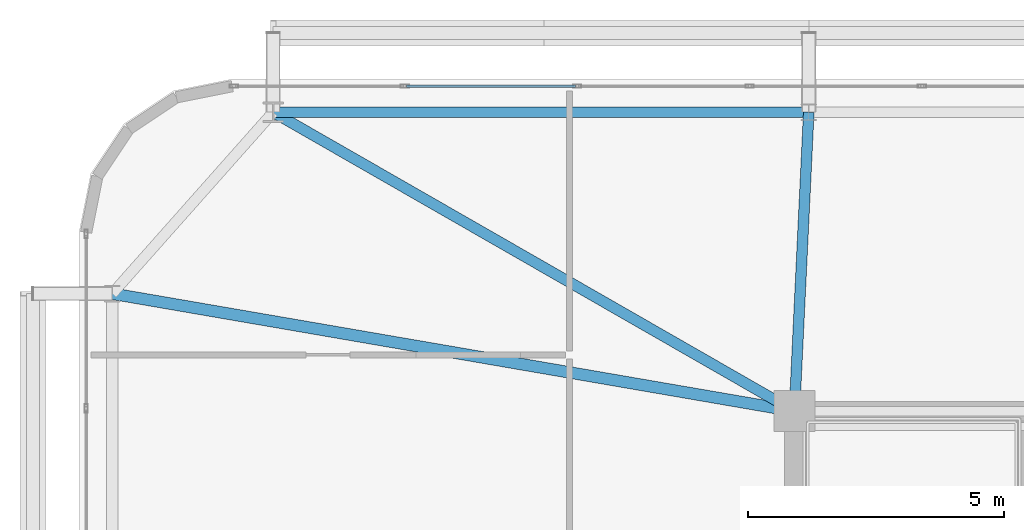
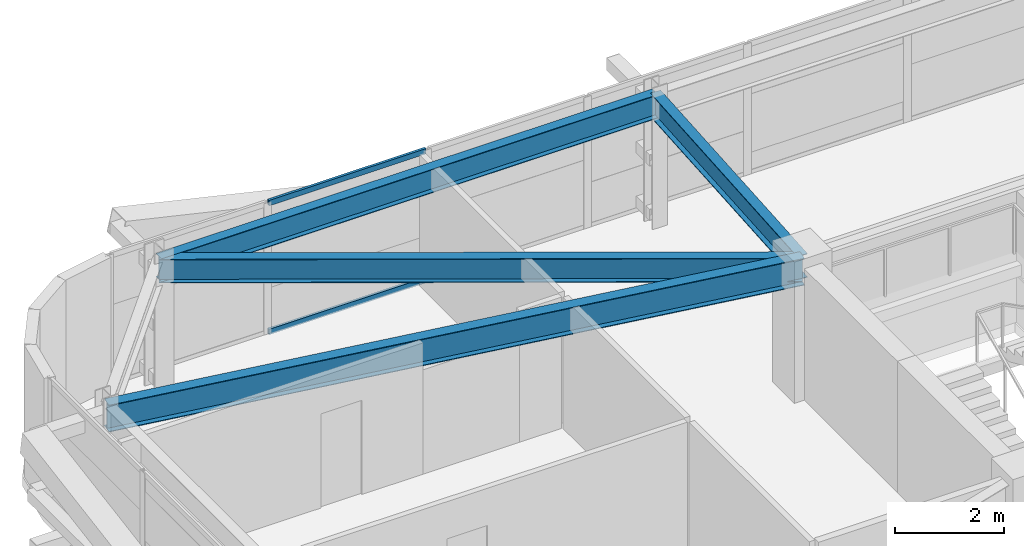
# One storey, part 34 of 59: 4 beams, 2 members, 1 element without a shape of its own.
"""IFC4 building model written with IfcOpenShell, lengths in metres."""

import ifcopenshell
import ifcopenshell.guid

model = None  # the IFC model being written
_history = None  # IfcOwnerHistory: only IFC2X3 demands one
_inside = {}  # id of a spatial element -> (the spatial element, [elements in it])
_under = {}  # id of a project, library or spatial element -> (it, [spatial elements below it])
_declared = {}  # id of a project -> (the project, [libraries it declares])
_typed = {}  # id of a type object -> (the type object, [elements of that type])
_made_of = {}  # id of a material, layer set ... -> (it, [elements and type objects made of it])


def new_model(schema):
    """Start an empty IFC model of exactly this schema.

    Asked for "IFC4X3", IfcOpenShell would pick the latest addendum, in which some entities
    have other attributes; the version numbers below select the first issue.
    IFC2X3 requires an IfcOwnerHistory on every rooted entity: one is made here for all.
    """
    global model, _history
    if schema == "IFC4X3":
        model = ifcopenshell.file(schema_version=(4, 3, 0, 0))
    else:
        model = ifcopenshell.file(schema=schema)
    _inside.clear()
    _under.clear()
    _declared.clear()
    _typed.clear()
    _made_of.clear()
    _history = None
    if model.schema == "IFC2X3":
        org = make("IfcOrganization", Name="unknown")
        user = make(
            "IfcPersonAndOrganization",
            ThePerson=make("IfcPerson", FamilyName="unknown"),
            TheOrganization=org,
        )
        app = make(
            "IfcApplication",
            ApplicationDeveloper=org,
            Version="unknown",
            ApplicationFullName="unknown",
            ApplicationIdentifier="unknown",
        )
        _history = make(
            "IfcOwnerHistory",
            OwningUser=user,
            OwningApplication=app,
            ChangeAction="ADDED",
            CreationDate=0,
        )
    return model


def make(cls, **values):
    """One entity of the class cls with the attributes given. An attribute that is None is left unset."""
    return model.create_entity(
        cls, **{name: value for name, value in values.items() if value is not None}
    )


def rooted(cls, **values):
    """An entity with a GlobalId (a new one), such as an element, a storey or a relation."""
    return make(cls, GlobalId=ifcopenshell.guid.new(), OwnerHistory=_history, **values)


def si_unit(unit_type, name, prefix=None):
    """IfcSIUnit, for example si_unit("LENGTHUNIT", "METRE", prefix="MILLI")."""
    return make("IfcSIUnit", UnitType=unit_type, Prefix=prefix, Name=name)


def assignment(units):
    """IfcUnitAssignment: the units of a project."""
    return None if units is None else make("IfcUnitAssignment", Units=units)


def point(xyz):
    """IfcCartesianPoint."""
    return None if xyz is None else make("IfcCartesianPoint", Coordinates=xyz)


def direction(xyz):
    """IfcDirection."""
    return None if xyz is None else make("IfcDirection", DirectionRatios=xyz)


def frame(location, z_axis=None, x_axis=None):
    """IfcAxis2Placement3D, a coordinate frame: its origin and axes. An axis left out is left unset."""
    return make(
        "IfcAxis2Placement3D",
        Location=point(location),
        Axis=direction(z_axis),
        RefDirection=direction(x_axis),
    )


def frame_2d(location, x_axis=None):
    """IfcAxis2Placement2D, a coordinate frame in the plane: its origin and x axis."""
    return make(
        "IfcAxis2Placement2D", Location=point(location), RefDirection=direction(x_axis)
    )


def origin():
    """The frame at (0, 0, 0) with its axes left unset."""
    return frame((0.0, 0.0, 0.0))


def origin_2d():
    """The frame at (0, 0) in the plane with its x axis left unset."""
    return frame_2d((0.0, 0.0))


def place(relative_to, where):
    """IfcLocalPlacement: puts the frame where relative to a parent placement (None: the world)."""
    return make(
        "IfcLocalPlacement", PlacementRelTo=relative_to, RelativePlacement=where
    )


def context(
    kind, dimensions, precision=None, world=None, true_north=None, identifier=None
):
    """IfcGeometricRepresentationContext, for example the 3D "Model" context."""
    return make(
        "IfcGeometricRepresentationContext",
        ContextIdentifier=identifier,
        ContextType=kind,
        CoordinateSpaceDimension=dimensions,
        Precision=precision,
        WorldCoordinateSystem=world,
        TrueNorth=true_north,
    )


def subcontext(parent, identifier, kind, view, scale=None):
    """IfcGeometricRepresentationSubContext, for example "Body" below "Model"."""
    return make(
        "IfcGeometricRepresentationSubContext",
        ContextIdentifier=identifier,
        ContextType=kind,
        ParentContext=parent,
        TargetScale=scale,
        TargetView=view,
    )


def project(units=None, contexts=None):
    """IfcProject with its units and contexts."""
    return rooted(
        "IfcProject",
        Name="project",
        RepresentationContexts=contexts,
        UnitsInContext=assignment(units),
    )


def spatial(cls, under=None, at=None, **own):
    """A site, building, storey or space (cls), placed at a placement, below another one or the project."""
    s = rooted(cls, ObjectPlacement=at, **own)
    if under is not None:
        _under.setdefault(under.id(), (under, []))[1].append(s)
    return s


def profile(cls, at=None, kind="AREA", **sizes):
    """A parametric profile (cls). Its sizes go by their IFC names, for example OverallWidth=200.0."""
    return make(cls, ProfileType=kind, Position=at, **sizes)


def hollow_rectangle(**sizes):
    """IfcRectangleHollowProfileDef."""
    return profile("IfcRectangleHollowProfileDef", **sizes)


def i_section(**sizes):
    """IfcIShapeProfileDef."""
    return profile("IfcIShapeProfileDef", **sizes)


def extrude(swept, where, along, depth):
    """IfcExtrudedAreaSolid: the profile swept, set in the frame where, extruded along a direction by depth."""
    return make(
        "IfcExtrudedAreaSolid",
        SweptArea=swept,
        Position=where,
        ExtrudedDirection=direction(along),
        Depth=depth,
    )


def shape(context_of_items, identifier, shape_type, items):
    """IfcShapeRepresentation: the items that make up one representation, for example the "Body"."""
    return make(
        "IfcShapeRepresentation",
        ContextOfItems=context_of_items,
        RepresentationIdentifier=identifier,
        RepresentationType=shape_type,
        Items=items,
    )


def source(mapping_origin, context_of_items, identifier, shape_type, items):
    """IfcRepresentationMap: a shape defined once, which mapped items show again and again."""
    return make(
        "IfcRepresentationMap",
        MappingOrigin=mapping_origin,
        MappedRepresentation=shape(context_of_items, identifier, shape_type, items),
    )


def transform(
    local_origin,
    x_axis=None,
    y_axis=None,
    z_axis=None,
    scale=None,
    scale2=None,
    scale3=None,
    uniform=True,
):
    """IfcCartesianTransformationOperator3D, or its non-uniform kind. x_axis, y_axis, z_axis: its Axis1, 2, 3."""
    if uniform:
        return make(
            "IfcCartesianTransformationOperator3D",
            Axis1=direction(x_axis),
            Axis2=direction(y_axis),
            LocalOrigin=point(local_origin),
            Scale=scale,
            Axis3=direction(z_axis),
        )
    return make(
        "IfcCartesianTransformationOperator3DnonUniform",
        Axis1=direction(x_axis),
        Axis2=direction(y_axis),
        LocalOrigin=point(local_origin),
        Scale=scale,
        Axis3=direction(z_axis),
        Scale2=scale2,
        Scale3=scale3,
    )


def mapped(mapping_source, mapping_target):
    """IfcMappedItem: shows the shape of a source again, moved by a transform."""
    return make(
        "IfcMappedItem", MappingSource=mapping_source, MappingTarget=mapping_target
    )


def material(Name=None, Category=None):
    """IfcMaterial."""
    return make("IfcMaterial", Name=Name, Category=Category)


def layer(
    of_material, thickness, ventilated=None, Name=None, Category=None, Priority=None
):
    """IfcMaterialLayer: one layer of a wall or slab, of a material (None: an air gap)."""
    return make(
        "IfcMaterialLayer",
        Material=of_material,
        LayerThickness=thickness,
        IsVentilated=ventilated,
        Name=Name,
        Category=Category,
        Priority=Priority,
    )


def layer_set(layers, Name=None):
    """IfcMaterialLayerSet."""
    return make("IfcMaterialLayerSet", MaterialLayers=layers, LayerSetName=Name)


def material_profile(
    of_material, cross_section, Name=None, Category=None, Priority=None
):
    """IfcMaterialProfile: a cross section and its material."""
    return make(
        "IfcMaterialProfile",
        Name=Name,
        Material=of_material,
        Profile=cross_section,
        Priority=Priority,
        Category=Category,
    )


def profile_set(profiles, Name=None, composite=None):
    """IfcMaterialProfileSet."""
    return make(
        "IfcMaterialProfileSet",
        Name=Name,
        MaterialProfiles=profiles,
        CompositeProfile=composite,
    )


def made_of(thing, what):
    """Note that an element or type object is made of a material, layer set ...; save() writes the relation."""
    if what is not None:
        _made_of.setdefault(what.id(), (what, []))[1].append(thing)
    return thing


def type_object(cls, material=None, **own):
    """A type object (cls), such as IfcWallType, which elements share."""
    return made_of(rooted(cls, **own), material)


def element(
    cls,
    number,
    at=None,
    inside=None,
    cuts=None,
    type_object=None,
    material=None,
    context=None,
    identifier="Body",
    shape_type=None,
    held_by="IfcProductDefinitionShape",
    body=None,
    shapes=None,
    **own,
):
    """One element of the class cls, such as IfcWall. Its Tag is "e" and its number.

    at: its placement. inside: the storey or other place that contains it. cuts: it is an
    opening in that element (IfcRelVoidsElement). A single representation is given by context,
    identifier, shape_type and body (its items); several are given by shapes. held_by: the class
    of the entity that holds the representations. save() writes the other relations.
    """
    e = rooted(cls, Tag="e%d" % number, ObjectPlacement=at, **own)
    if body is not None:
        shapes = [shape(context, identifier, shape_type, body)]
    if shapes is not None:
        e.Representation = make(held_by, Representations=shapes)
    if inside is not None:
        _inside.setdefault(inside.id(), (inside, []))[1].append(e)
    if cuts is not None:
        rooted(
            "IfcRelVoidsElement", RelatingBuildingElement=cuts, RelatedOpeningElement=e
        )
    if type_object is not None:
        _typed.setdefault(type_object.id(), (type_object, []))[1].append(e)
    return made_of(e, material)


def aggregate(whole, parts):
    """IfcRelAggregates: a whole, such as a stair, and the parts it consists of."""
    return rooted("IfcRelAggregates", RelatingObject=whole, RelatedObjects=parts)


def save(model, path):
    """Write the relations noted so far, then the file.

    IfcRelAggregates (storeys below a building ...), IfcRelContainedInSpatialStructure (elements
    in a storey), IfcRelDefinesByType, IfcRelAssociatesMaterial and IfcRelDeclares: one each for
    every whole, place, type object, material and project.
    """
    for whole, parts in _under.values():
        aggregate(whole, parts)
    for where, things in _inside.values():
        rooted(
            "IfcRelContainedInSpatialStructure",
            RelatedElements=things,
            RelatingStructure=where,
        )
    for kind, things in _typed.values():
        rooted("IfcRelDefinesByType", RelatedObjects=things, RelatingType=kind)
    for what, things in _made_of.values():
        rooted("IfcRelAssociatesMaterial", RelatedObjects=things, RelatingMaterial=what)
    for by, libraries in _declared.values():
        rooted("IfcRelDeclares", RelatingContext=by, RelatedDefinitions=libraries)
    model.write(path)


model = new_model("IFC4")

# Units and contexts
model_context = context("Model", 3, precision=1e-05, world=origin(), true_north=direction((0.0, 1.0)))
body_context = subcontext(model_context, "Body", "Model", "MODEL_VIEW")
ifc_project = project(units=[si_unit("LENGTHUNIT", "METRE"), si_unit("AREAUNIT", "SQUARE_METRE"), si_unit("VOLUMEUNIT", "CUBIC_METRE"), si_unit("PLANEANGLEUNIT", "RADIAN"), si_unit("MASSUNIT", "GRAM", prefix="KILO")], contexts=[model_context])

# Site, building, storey
site_placement = place(None, origin())
site = spatial("IfcSite", under=ifc_project, at=site_placement, CompositionType="ELEMENT")
building_placement = place(site_placement, origin())
building = spatial("IfcBuilding", under=site, at=building_placement, Name="Taldren Reach Tower", CompositionType="ELEMENT")
storey_placement = place(building_placement, frame((0.0, 0.0, 19.949951171875)))
storey = spatial("IfcBuildingStorey", under=building, at=storey_placement, Name="L05", CompositionType="ELEMENT", Elevation=19.949951171875)

# Beams
ifc_material_1 = material(Name="Steel Gr 350 (350PLUS)", Category="steel")
ifc_material_profile_1 = material_profile(ifc_material_1, i_section(OverallWidth=0.208984375, OverallDepth=0.528076171875, WebThickness=0.009521484375, FlangeThickness=0.01318359375, at=origin_2d()), Name="530UB82.0")
ifc_profile_set_1 = profile_set([ifc_material_profile_1], Name="Steel Gr 350 (350PLUS)")
beam_type_1 = type_object("IfcBeamType", Name="SP-UB530B", PredefinedType="SPANDREL", material=ifc_profile_set_1)
shared_shape_1 = source(origin(), body_context, "Body", "SweptSolid", [
    extrude(i_section(OverallWidth=0.208984375, OverallDepth=0.528076171875, WebThickness=0.009521484375, FlangeThickness=0.01318359375, at=origin_2d()), origin(), (0.0, 0.0, 1.0), 10.47998046875),
])
beam_1_placement = place(storey_placement, frame((19.280029296875, 37.85009765625, 2.666015625), z_axis=(-1.0, 0.0, 0.0), x_axis=(0.0, -1.0, 0.0)))
element("IfcBeam", 1, at=beam_1_placement, inside=storey, type_object=beam_type_1, Name="Perimeter spandrel B1 N2-N1 L05", PredefinedType="SPANDREL", context=body_context, shape_type="MappedRepresentation", body=[
    mapped(shared_shape_1, transform((0.0, 0.0, 0.0), scale=1.0)),
])
ifc_material_profile_2 = material_profile(ifc_material_1, i_section(OverallWidth=0.22802734375, OverallDepth=0.60205078125, WebThickness=0.010498046875, FlangeThickness=0.014892578125, at=origin_2d()), Name="610UB101")
ifc_profile_set_2 = profile_set([ifc_material_profile_2], Name="Steel Gr 350 (350PLUS)")
beam_type_2 = type_object("IfcBeamType", Name="BM-UB610B", PredefinedType="BEAM", material=ifc_profile_set_2)
shared_shape_2 = source(origin(), body_context, "Body", "SweptSolid", [
    extrude(i_section(OverallWidth=0.22802734375, OverallDepth=0.60205078125, WebThickness=0.010498046875, FlangeThickness=0.014892578125, at=origin_2d()), origin(), (0.0, 0.0, 1.0), 13.546875),
])
beam_2_placement = place(storey_placement, frame((19.0, 32.0, 2.629150390625), z_axis=(-0.985481022998, 0.169785609847, 0.0), x_axis=(-0.169785609847, -0.985481022998, 0.0)))
element("IfcBeam", 2, at=beam_2_placement, inside=storey, type_object=beam_type_2, Name="Primary floor girder B1-W3 L05", PredefinedType="BEAM", context=body_context, shape_type="MappedRepresentation", body=[
    mapped(shared_shape_2, transform((0.0, 0.0, 0.0), scale=1.0)),
])
ifc_material_profile_3 = material_profile(ifc_material_1, i_section(OverallWidth=0.208984375, OverallDepth=0.532958984375, WebThickness=0.01025390625, FlangeThickness=0.015625, at=origin_2d()), Name="530UB92.4")
ifc_profile_set_3 = profile_set([ifc_material_profile_3], Name="Steel Gr 350 (350PLUS)")
beam_type_3 = type_object("IfcBeamType", Name="BM-UB530A", PredefinedType="BEAM", material=ifc_profile_set_3)
shared_shape_3 = source(origin(), body_context, "Body", "SweptSolid", [
    extrude(i_section(OverallWidth=0.208984375, OverallDepth=0.532958984375, WebThickness=0.01025390625, FlangeThickness=0.015625, at=origin_2d()), origin(), (0.0, 0.0, 1.0), 11.758544921875),
])
beam_3_placement = place(storey_placement, frame((19.0, 32.0, 2.66357421875), z_axis=(-0.867452414141, 0.497520159593, 0.0), x_axis=(-0.497520159593, -0.867452414141, 0.0)))
element("IfcBeam", 3, at=beam_3_placement, inside=storey, type_object=beam_type_3, Name="Primary floor girder B1-N1 L05", PredefinedType="BEAM", context=body_context, shape_type="MappedRepresentation", body=[
    mapped(shared_shape_3, transform((0.0, 0.0, 0.0), scale=1.0)),
])
shared_shape_4 = source(origin(), body_context, "Body", "SweptSolid", [
    extrude(i_section(OverallWidth=0.208984375, OverallDepth=0.532958984375, WebThickness=0.01025390625, FlangeThickness=0.015625, at=origin_2d()), origin(), (0.0, 0.0, 1.0), 5.856689453125),
])
beam_4_placement = place(storey_placement, frame((19.0, 32.0, 2.66357421875), z_axis=(0.047812711672, 0.998856318297, 0.0), x_axis=(-0.998856318297, 0.047812711672, 0.0)))
element("IfcBeam", 4, at=beam_4_placement, inside=storey, type_object=beam_type_3, Name="Primary floor girder B1-N2 L05", PredefinedType="BEAM", context=body_context, shape_type="MappedRepresentation", body=[
    mapped(shared_shape_4, transform((0.0, 0.0, 0.0), scale=1.0)),
])

# Curtain wall, members
ifc_material_2 = material(Name="Aluminium and Low-E Glass Unitised System", Category="aluminium")
ifc_layer = layer(ifc_material_2, 0.159912109375)
ifc_layer_set = layer_set([ifc_layer], Name="Aluminium and Low-E Glass Unitised System")
curtain_wall_type = type_object("IfcCurtainWallType", Name="CW-SYS-2", PredefinedType="NOTDEFINED", material=ifc_layer_set)
curtain_wall_placement = place(storey_placement, origin())
curtain_wall = element("IfcCurtainWall", 5, at=curtain_wall_placement, inside=storey, type_object=curtain_wall_type, Name="Unitised curtain wall CW-L05-N", PredefinedType="NOTDEFINED")
ifc_material_3 = material(Name="Anodised Aluminium 6063-T6", Category="aluminium")
ifc_material_profile_4 = material_profile(ifc_material_3, hollow_rectangle(XDim=0.054931640625, YDim=0.1201171875, WallThickness=0.0029296875, at=origin_2d()), Name="ALU-120x55x3RHS")
ifc_profile_set_4 = profile_set([ifc_material_profile_4], Name="Anodised Aluminium 6063-T6")
member_type = type_object("IfcMemberType", Name="CW-TRN-135", PredefinedType="USERDEFINED", material=ifc_profile_set_4)
shared_shape_5 = source(origin(), body_context, "Body", "SweptSolid", [
    extrude(hollow_rectangle(XDim=0.054931640625, YDim=0.1201171875, WallThickness=0.0029296875, at=origin_2d()), origin(), (0.0, 0.0, 1.0), 3.31005859375),
])
member_1_placement = place(storey_placement, frame((14.717529296875, 38.360107421875, 0.027587890625), z_axis=(-1.0, 0.0, 0.0), x_axis=(0.0, -1.0, 0.0)))
member_1 = element("IfcMember", 6, at=member_1_placement, type_object=member_type, Name="CW-2 transom 15.1", ObjectType="TRANSOM", PredefinedType="USERDEFINED", context=body_context, shape_type="MappedRepresentation", body=[
    mapped(shared_shape_5, transform((0.0, 0.0, 0.0), scale=1.0)),
])
member_2_placement = place(storey_placement, frame((14.717529296875, 38.360107421875, 2.902587890625), z_axis=(-1.0, 0.0, 0.0), x_axis=(0.0, -1.0, 0.0)))
member_2 = element("IfcMember", 7, at=member_2_placement, type_object=member_type, Name="CW-2 transom 15.2", ObjectType="TRANSOM", PredefinedType="USERDEFINED", context=body_context, shape_type="MappedRepresentation", body=[
    mapped(shared_shape_5, transform((0.0, 0.0, 0.0), scale=1.0)),
])
aggregate(curtain_wall, [member_1, member_2])

save(model, "model.ifc")
